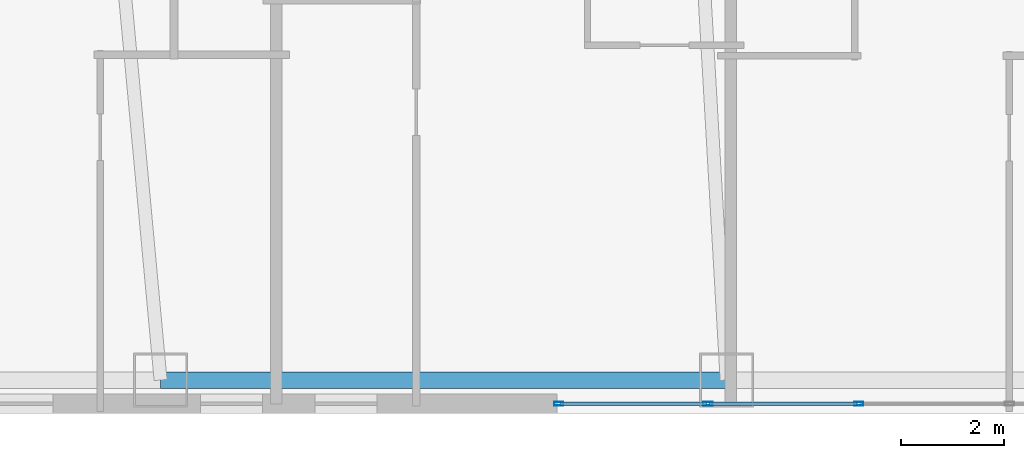
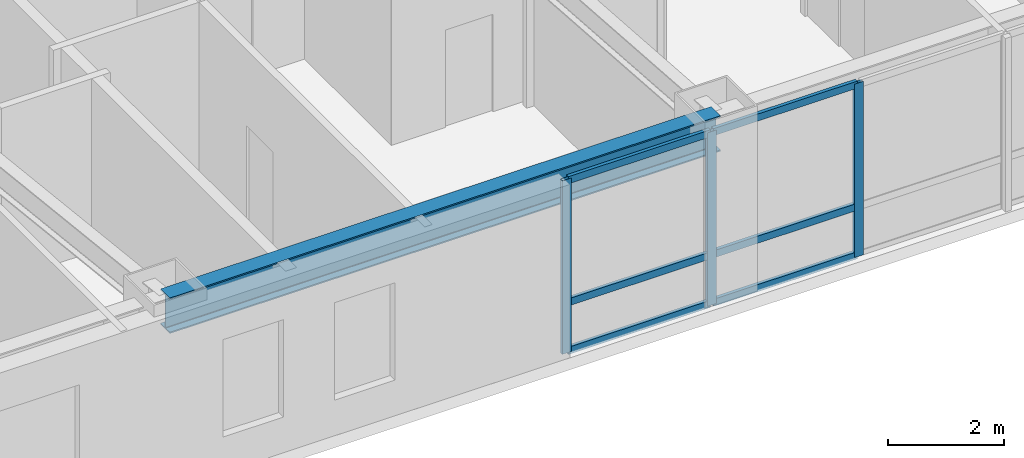
# One storey, part 3 of 28: 9 members, 1 beam, 1 element without a shape of its own.
"""IFC4 building model written with IfcOpenShell, lengths in metres."""

from ifc_helpers import new_model, si_unit, direction, frame, origin, origin_2d, place, context, subcontext, project, spatial, hollow_rectangle, i_section, extrude, material, layer, layer_set, material_profile, profile_set, type_object, element, aggregate, save


model = new_model("IFC4")

# Units and contexts
model_context = context("Model", 3, precision=1e-05, world=origin(), true_north=direction((0.0, 1.0)))
body_context = subcontext(model_context, "Body", "Model", "MODEL_VIEW")
ifc_project = project(units=[si_unit("LENGTHUNIT", "METRE"), si_unit("AREAUNIT", "SQUARE_METRE"), si_unit("VOLUMEUNIT", "CUBIC_METRE"), si_unit("PLANEANGLEUNIT", "RADIAN"), si_unit("MASSUNIT", "GRAM", prefix="KILO")], contexts=[model_context])

# Site, building, storey
site_placement = place(None, origin())
site = spatial("IfcSite", under=ifc_project, at=site_placement, CompositionType="ELEMENT")
building_placement = place(site_placement, origin())
building = spatial("IfcBuilding", under=site, at=building_placement, Name="Voryun Gate Residences", CompositionType="ELEMENT")
storey_placement = place(building_placement, frame((0.0, 0.0, 117.0)))
storey = spatial("IfcBuildingStorey", under=building, at=storey_placement, Name="L28", CompositionType="ELEMENT", Elevation=117.0)

# Beam
ifc_material_1 = material(Name="Steel SM355", Category="steel")
ifc_material_profile_1 = material_profile(ifc_material_1, i_section(OverallWidth=0.320068359375, OverallDepth=0.75, WebThickness=0.01611328125, FlangeThickness=0.028076171875, FilletRadius=0.01806640625, at=origin_2d()), Name="H-750x320x16x28")
ifc_profile_set_1 = profile_set([ifc_material_profile_1], Name="Steel SM355")
beam_type = type_object("IfcBeamType", Name="BM_EXO_SPANDREL_L", PredefinedType="SPANDREL", material=ifc_profile_set_1)
beam_placement = place(storey_placement, frame((-14.43994140625, -19.949951171875, 3.27490234375), z_axis=(1.0, 0.0, 0.0), x_axis=(0.0, 1.0, 0.0)))
element("IfcBeam", 1, at=beam_placement, inside=storey, type_object=beam_type, Name="BM-L28-SPAND-02", PredefinedType="SPANDREL", context=body_context, shape_type="SweptSolid", body=[
    extrude(i_section(OverallWidth=0.320068359375, OverallDepth=0.75, WebThickness=0.01611328125, FlangeThickness=0.028076171875, FilletRadius=0.01806640625, at=origin_2d()), origin(), (0.0, 0.0, 1.0), 10.9599609375),
])

# Curtain wall, members
ifc_material_2 = material(Name="Anodised aluminium", Category="aluminium")
ifc_layer = layer(ifc_material_2, 0.179931640625, Name="CW_SYS_RES_A_DARK_GLASS")
ifc_layer_set = layer_set([ifc_layer], Name="Anodised aluminium")
curtain_wall_type = type_object("IfcCurtainWallType", Name="CW_SYS_RES_A_DARK_GLASS", PredefinedType="NOTDEFINED", material=ifc_layer_set)
curtain_wall_placement = place(storey_placement, origin())
curtain_wall = element("IfcCurtainWall", 2, at=curtain_wall_placement, inside=storey, type_object=curtain_wall_type, Name="Curtain wall CWT-L28-01", PredefinedType="NOTDEFINED")
ifc_material_3 = material(Name="Anodised aluminium", Category="aluminium")
ifc_material_profile_2 = material_profile(ifc_material_3, hollow_rectangle(XDim=0.070068359375, YDim=0.179931640625, WallThickness=0.00390625, at=origin_2d()), Name="ALU-MULL-180x70x4")
ifc_profile_set_2 = profile_set([ifc_material_profile_2], Name="Anodised aluminium")
member_type_1 = type_object("IfcMemberType", Name="CW_MULL_RES", PredefinedType="MULLION", material=ifc_profile_set_2)
member_1_placement = place(storey_placement, frame((-0.920654296875, -20.409912109375, 0.0), z_axis=(0.0, 0.0, 1.0), x_axis=(0.0, -1.0, 0.0)))
member_1 = element("IfcMember", 3, at=member_1_placement, type_object=member_type_1, Name="CW3 mullion 5", PredefinedType="MULLION", context=body_context, shape_type="SweptSolid", body=[
    extrude(hollow_rectangle(XDim=0.070068359375, YDim=0.179931640625, WallThickness=0.00390625, at=origin_2d()), origin(), (0.0, 0.0, 1.0), 3.64990234375),
])
member_2_placement = place(storey_placement, frame((-3.84130859375, -20.409912109375, 0.0), z_axis=(0.0, 0.0, 1.0), x_axis=(0.0, -1.0, 0.0)))
member_2 = element("IfcMember", 4, at=member_2_placement, type_object=member_type_1, Name="CW3 mullion 6", PredefinedType="MULLION", context=body_context, shape_type="SweptSolid", body=[
    extrude(hollow_rectangle(XDim=0.070068359375, YDim=0.179931640625, WallThickness=0.00390625, at=origin_2d()), origin(), (0.0, 0.0, 1.0), 3.64990234375),
])
member_3_placement = place(storey_placement, frame((-6.73193359375, -20.409912109375, 0.0), z_axis=(0.0, 0.0, 1.0), x_axis=(0.0, -1.0, 0.0)))
member_3 = element("IfcMember", 5, at=member_3_placement, type_object=member_type_1, Name="CW3 mullion 7", PredefinedType="MULLION", context=body_context, shape_type="SweptSolid", body=[
    extrude(hollow_rectangle(XDim=0.070068359375, YDim=0.179931640625, WallThickness=0.00390625, at=origin_2d()), origin(), (0.0, 0.0, 1.0), 3.64990234375),
])
ifc_material_4 = material(Name="Anodised aluminium", Category="aluminium")
ifc_material_profile_3 = material_profile(ifc_material_4, hollow_rectangle(XDim=0.070068359375, YDim=0.14990234375, WallThickness=0.00390625, at=origin_2d()), Name="ALU-TRAN-150x70x4")
ifc_profile_set_3 = profile_set([ifc_material_profile_3], Name="Anodised aluminium")
member_type_2 = type_object("IfcMemberType", Name="CW_TRAN_RES", PredefinedType="USERDEFINED", material=ifc_profile_set_3)
member_4_placement = place(storey_placement, frame((-0.95068359375, -20.409912109375, 0.030029296875), z_axis=(-1.0, 0.0, 0.0), x_axis=(0.0, -1.0, 0.0)))
member_4 = element("IfcMember", 6, at=member_4_placement, type_object=member_type_2, Name="CW3 transom 5.1", ObjectType="TRANSOM", PredefinedType="USERDEFINED", context=body_context, shape_type="SweptSolid", body=[
    extrude(hollow_rectangle(XDim=0.070068359375, YDim=0.14990234375, WallThickness=0.00390625, at=origin_2d()), origin(), (0.0, 0.0, 1.0), 2.860595703125),
])
member_5_placement = place(storey_placement, frame((-0.95068359375, -20.409912109375, 1.050048828125), z_axis=(-1.0, 0.0, 0.0), x_axis=(0.0, -1.0, 0.0)))
member_5 = element("IfcMember", 7, at=member_5_placement, type_object=member_type_2, Name="CW3 transom 5.2", ObjectType="TRANSOM", PredefinedType="USERDEFINED", context=body_context, shape_type="SweptSolid", body=[
    extrude(hollow_rectangle(XDim=0.070068359375, YDim=0.14990234375, WallThickness=0.00390625, at=origin_2d()), origin(), (0.0, 0.0, 1.0), 2.860595703125),
])
member_6_placement = place(storey_placement, frame((-0.95068359375, -20.409912109375, 3.6201171875), z_axis=(-1.0, 0.0, 0.0), x_axis=(0.0, -1.0, 0.0)))
member_6 = element("IfcMember", 8, at=member_6_placement, type_object=member_type_2, Name="CW3 transom 5.3", ObjectType="TRANSOM", PredefinedType="USERDEFINED", context=body_context, shape_type="SweptSolid", body=[
    extrude(hollow_rectangle(XDim=0.070068359375, YDim=0.14990234375, WallThickness=0.00390625, at=origin_2d()), origin(), (0.0, 0.0, 1.0), 2.860595703125),
])
member_7_placement = place(storey_placement, frame((-3.871337890625, -20.409912109375, 0.030029296875), z_axis=(-1.0, 0.0, 0.0), x_axis=(0.0, -1.0, 0.0)))
member_7 = element("IfcMember", 9, at=member_7_placement, type_object=member_type_2, Name="CW3 transom 6.1", ObjectType="TRANSOM", PredefinedType="USERDEFINED", context=body_context, shape_type="SweptSolid", body=[
    extrude(hollow_rectangle(XDim=0.070068359375, YDim=0.14990234375, WallThickness=0.00390625, at=origin_2d()), origin(), (0.0, 0.0, 1.0), 2.83056640625),
])
member_8_placement = place(storey_placement, frame((-3.871337890625, -20.409912109375, 1.050048828125), z_axis=(-1.0, 0.0, 0.0), x_axis=(0.0, -1.0, 0.0)))
member_8 = element("IfcMember", 10, at=member_8_placement, type_object=member_type_2, Name="CW3 transom 6.2", ObjectType="TRANSOM", PredefinedType="USERDEFINED", context=body_context, shape_type="SweptSolid", body=[
    extrude(hollow_rectangle(XDim=0.070068359375, YDim=0.14990234375, WallThickness=0.00390625, at=origin_2d()), origin(), (0.0, 0.0, 1.0), 2.83056640625),
])
member_9_placement = place(storey_placement, frame((-3.871337890625, -20.409912109375, 3.6201171875), z_axis=(-1.0, 0.0, 0.0), x_axis=(0.0, -1.0, 0.0)))
member_9 = element("IfcMember", 11, at=member_9_placement, type_object=member_type_2, Name="CW3 transom 6.3", ObjectType="TRANSOM", PredefinedType="USERDEFINED", context=body_context, shape_type="SweptSolid", body=[
    extrude(hollow_rectangle(XDim=0.070068359375, YDim=0.14990234375, WallThickness=0.00390625, at=origin_2d()), origin(), (0.0, 0.0, 1.0), 2.83056640625),
])
aggregate(curtain_wall, [member_1, member_2, member_3, member_4, member_5, member_6, member_7, member_8, member_9])

save(model, "model.ifc")
